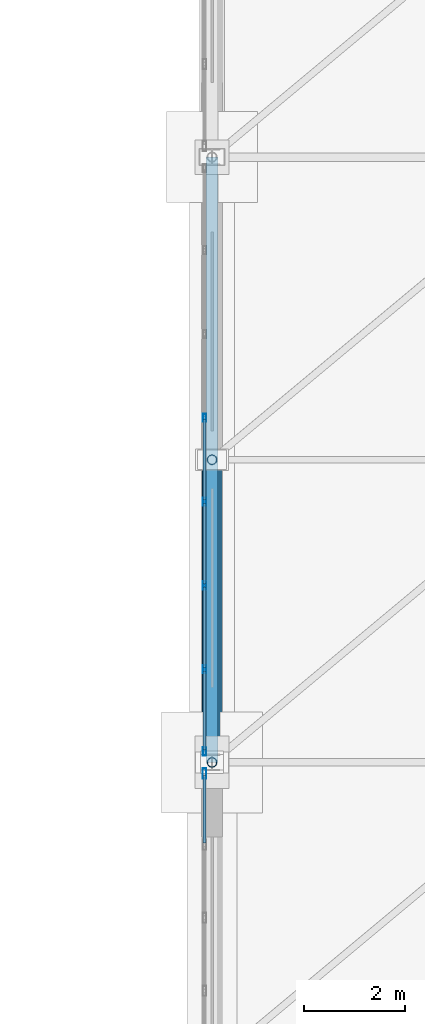
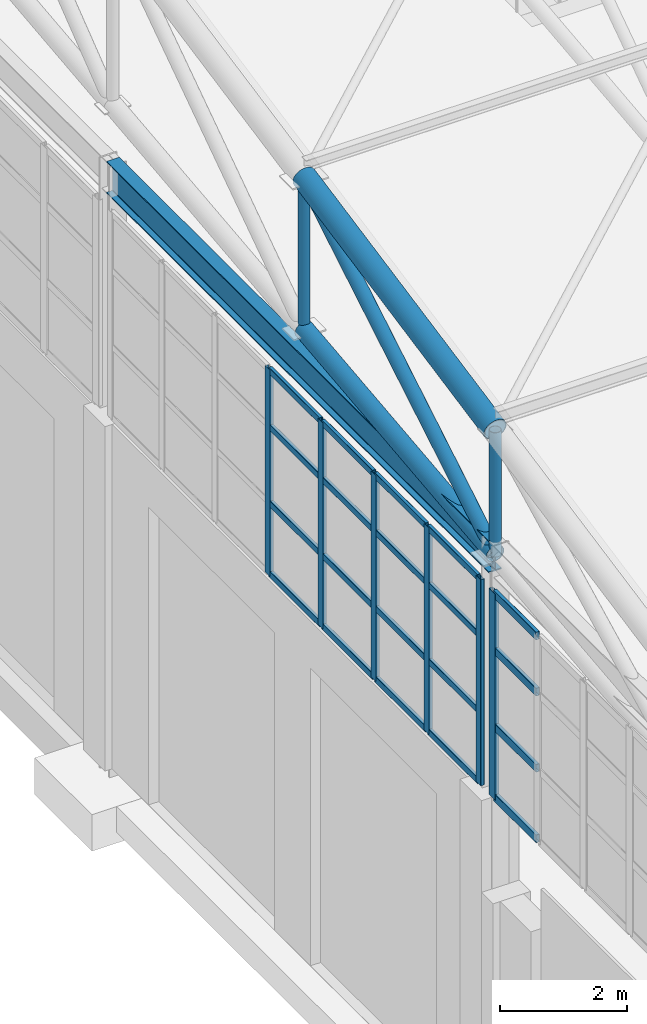
# One storey, part 115 of 293: 31 members, 1 beam, 2 elements without a shape of their own.
"""IFC4 building model written with IfcOpenShell, lengths in metres."""

import ifcopenshell
import ifcopenshell.guid

model = None  # the IFC model being written
_history = None  # IfcOwnerHistory: only IFC2X3 demands one
_inside = {}  # id of a spatial element -> (the spatial element, [elements in it])
_under = {}  # id of a project, library or spatial element -> (it, [spatial elements below it])
_declared = {}  # id of a project -> (the project, [libraries it declares])
_typed = {}  # id of a type object -> (the type object, [elements of that type])
_made_of = {}  # id of a material, layer set ... -> (it, [elements and type objects made of it])


def new_model(schema):
    """Start an empty IFC model of exactly this schema.

    Asked for "IFC4X3", IfcOpenShell would pick the latest addendum, in which some entities
    have other attributes; the version numbers below select the first issue.
    IFC2X3 requires an IfcOwnerHistory on every rooted entity: one is made here for all.
    """
    global model, _history
    if schema == "IFC4X3":
        model = ifcopenshell.file(schema_version=(4, 3, 0, 0))
    else:
        model = ifcopenshell.file(schema=schema)
    _inside.clear()
    _under.clear()
    _declared.clear()
    _typed.clear()
    _made_of.clear()
    _history = None
    if model.schema == "IFC2X3":
        org = make("IfcOrganization", Name="unknown")
        user = make(
            "IfcPersonAndOrganization",
            ThePerson=make("IfcPerson", FamilyName="unknown"),
            TheOrganization=org,
        )
        app = make(
            "IfcApplication",
            ApplicationDeveloper=org,
            Version="unknown",
            ApplicationFullName="unknown",
            ApplicationIdentifier="unknown",
        )
        _history = make(
            "IfcOwnerHistory",
            OwningUser=user,
            OwningApplication=app,
            ChangeAction="ADDED",
            CreationDate=0,
        )
    return model


def make(cls, **values):
    """One entity of the class cls with the attributes given. An attribute that is None is left unset."""
    return model.create_entity(
        cls, **{name: value for name, value in values.items() if value is not None}
    )


def rooted(cls, **values):
    """An entity with a GlobalId (a new one), such as an element, a storey or a relation."""
    return make(cls, GlobalId=ifcopenshell.guid.new(), OwnerHistory=_history, **values)


def si_unit(unit_type, name, prefix=None):
    """IfcSIUnit, for example si_unit("LENGTHUNIT", "METRE", prefix="MILLI")."""
    return make("IfcSIUnit", UnitType=unit_type, Prefix=prefix, Name=name)


def assignment(units):
    """IfcUnitAssignment: the units of a project."""
    return None if units is None else make("IfcUnitAssignment", Units=units)


def point(xyz):
    """IfcCartesianPoint."""
    return None if xyz is None else make("IfcCartesianPoint", Coordinates=xyz)


def direction(xyz):
    """IfcDirection."""
    return None if xyz is None else make("IfcDirection", DirectionRatios=xyz)


def frame(location, z_axis=None, x_axis=None):
    """IfcAxis2Placement3D, a coordinate frame: its origin and axes. An axis left out is left unset."""
    return make(
        "IfcAxis2Placement3D",
        Location=point(location),
        Axis=direction(z_axis),
        RefDirection=direction(x_axis),
    )


def frame_2d(location, x_axis=None):
    """IfcAxis2Placement2D, a coordinate frame in the plane: its origin and x axis."""
    return make(
        "IfcAxis2Placement2D", Location=point(location), RefDirection=direction(x_axis)
    )


def origin():
    """The frame at (0, 0, 0) with its axes left unset."""
    return frame((0.0, 0.0, 0.0))


def origin_2d():
    """The frame at (0, 0) in the plane with its x axis left unset."""
    return frame_2d((0.0, 0.0))


def place(relative_to, where):
    """IfcLocalPlacement: puts the frame where relative to a parent placement (None: the world)."""
    return make(
        "IfcLocalPlacement", PlacementRelTo=relative_to, RelativePlacement=where
    )


def context(
    kind, dimensions, precision=None, world=None, true_north=None, identifier=None
):
    """IfcGeometricRepresentationContext, for example the 3D "Model" context."""
    return make(
        "IfcGeometricRepresentationContext",
        ContextIdentifier=identifier,
        ContextType=kind,
        CoordinateSpaceDimension=dimensions,
        Precision=precision,
        WorldCoordinateSystem=world,
        TrueNorth=true_north,
    )


def subcontext(parent, identifier, kind, view, scale=None):
    """IfcGeometricRepresentationSubContext, for example "Body" below "Model"."""
    return make(
        "IfcGeometricRepresentationSubContext",
        ContextIdentifier=identifier,
        ContextType=kind,
        ParentContext=parent,
        TargetScale=scale,
        TargetView=view,
    )


def project(units=None, contexts=None):
    """IfcProject with its units and contexts."""
    return rooted(
        "IfcProject",
        Name="project",
        RepresentationContexts=contexts,
        UnitsInContext=assignment(units),
    )


def spatial(cls, under=None, at=None, **own):
    """A site, building, storey or space (cls), placed at a placement, below another one or the project."""
    s = rooted(cls, ObjectPlacement=at, **own)
    if under is not None:
        _under.setdefault(under.id(), (under, []))[1].append(s)
    return s


def profile(cls, at=None, kind="AREA", **sizes):
    """A parametric profile (cls). Its sizes go by their IFC names, for example OverallWidth=200.0."""
    return make(cls, ProfileType=kind, Position=at, **sizes)


def hollow_rectangle(**sizes):
    """IfcRectangleHollowProfileDef."""
    return profile("IfcRectangleHollowProfileDef", **sizes)


def hollow_circle(**sizes):
    """IfcCircleHollowProfileDef."""
    return profile("IfcCircleHollowProfileDef", **sizes)


def i_section(**sizes):
    """IfcIShapeProfileDef."""
    return profile("IfcIShapeProfileDef", **sizes)


def extrude(swept, where, along, depth):
    """IfcExtrudedAreaSolid: the profile swept, set in the frame where, extruded along a direction by depth."""
    return make(
        "IfcExtrudedAreaSolid",
        SweptArea=swept,
        Position=where,
        ExtrudedDirection=direction(along),
        Depth=depth,
    )


def shape(context_of_items, identifier, shape_type, items):
    """IfcShapeRepresentation: the items that make up one representation, for example the "Body"."""
    return make(
        "IfcShapeRepresentation",
        ContextOfItems=context_of_items,
        RepresentationIdentifier=identifier,
        RepresentationType=shape_type,
        Items=items,
    )


def material(Name=None, Category=None):
    """IfcMaterial."""
    return make("IfcMaterial", Name=Name, Category=Category)


def layer(
    of_material, thickness, ventilated=None, Name=None, Category=None, Priority=None
):
    """IfcMaterialLayer: one layer of a wall or slab, of a material (None: an air gap)."""
    return make(
        "IfcMaterialLayer",
        Material=of_material,
        LayerThickness=thickness,
        IsVentilated=ventilated,
        Name=Name,
        Category=Category,
        Priority=Priority,
    )


def layer_set(layers, Name=None):
    """IfcMaterialLayerSet."""
    return make("IfcMaterialLayerSet", MaterialLayers=layers, LayerSetName=Name)


def material_profile(
    of_material, cross_section, Name=None, Category=None, Priority=None
):
    """IfcMaterialProfile: a cross section and its material."""
    return make(
        "IfcMaterialProfile",
        Name=Name,
        Material=of_material,
        Profile=cross_section,
        Priority=Priority,
        Category=Category,
    )


def profile_set(profiles, Name=None, composite=None):
    """IfcMaterialProfileSet."""
    return make(
        "IfcMaterialProfileSet",
        Name=Name,
        MaterialProfiles=profiles,
        CompositeProfile=composite,
    )


def made_of(thing, what):
    """Note that an element or type object is made of a material, layer set ...; save() writes the relation."""
    if what is not None:
        _made_of.setdefault(what.id(), (what, []))[1].append(thing)
    return thing


def type_object(cls, material=None, **own):
    """A type object (cls), such as IfcWallType, which elements share."""
    return made_of(rooted(cls, **own), material)


def element(
    cls,
    number,
    at=None,
    inside=None,
    cuts=None,
    type_object=None,
    material=None,
    context=None,
    identifier="Body",
    shape_type=None,
    held_by="IfcProductDefinitionShape",
    body=None,
    shapes=None,
    **own,
):
    """One element of the class cls, such as IfcWall. Its Tag is "e" and its number.

    at: its placement. inside: the storey or other place that contains it. cuts: it is an
    opening in that element (IfcRelVoidsElement). A single representation is given by context,
    identifier, shape_type and body (its items); several are given by shapes. held_by: the class
    of the entity that holds the representations. save() writes the other relations.
    """
    e = rooted(cls, Tag="e%d" % number, ObjectPlacement=at, **own)
    if body is not None:
        shapes = [shape(context, identifier, shape_type, body)]
    if shapes is not None:
        e.Representation = make(held_by, Representations=shapes)
    if inside is not None:
        _inside.setdefault(inside.id(), (inside, []))[1].append(e)
    if cuts is not None:
        rooted(
            "IfcRelVoidsElement", RelatingBuildingElement=cuts, RelatedOpeningElement=e
        )
    if type_object is not None:
        _typed.setdefault(type_object.id(), (type_object, []))[1].append(e)
    return made_of(e, material)


def aggregate(whole, parts):
    """IfcRelAggregates: a whole, such as a stair, and the parts it consists of."""
    return rooted("IfcRelAggregates", RelatingObject=whole, RelatedObjects=parts)


def save(model, path):
    """Write the relations noted so far, then the file.

    IfcRelAggregates (storeys below a building ...), IfcRelContainedInSpatialStructure (elements
    in a storey), IfcRelDefinesByType, IfcRelAssociatesMaterial and IfcRelDeclares: one each for
    every whole, place, type object, material and project.
    """
    for whole, parts in _under.values():
        aggregate(whole, parts)
    for where, things in _inside.values():
        rooted(
            "IfcRelContainedInSpatialStructure",
            RelatedElements=things,
            RelatingStructure=where,
        )
    for kind, things in _typed.values():
        rooted("IfcRelDefinesByType", RelatedObjects=things, RelatingType=kind)
    for what, things in _made_of.values():
        rooted("IfcRelAssociatesMaterial", RelatedObjects=things, RelatingMaterial=what)
    for by, libraries in _declared.values():
        rooted("IfcRelDeclares", RelatingContext=by, RelatedDefinitions=libraries)
    model.write(path)


model = new_model("IFC4")

# Units and contexts
model_context = context("Model", 3, precision=1e-05, world=origin(), true_north=direction((0.0, 1.0)))
body_context = subcontext(model_context, "Body", "Model", "MODEL_VIEW")
ifc_project = project(units=[si_unit("LENGTHUNIT", "METRE"), si_unit("AREAUNIT", "SQUARE_METRE"), si_unit("VOLUMEUNIT", "CUBIC_METRE"), si_unit("PLANEANGLEUNIT", "RADIAN"), si_unit("MASSUNIT", "GRAM", prefix="KILO")], contexts=[model_context])

# Site, building, storey
site_placement = place(None, origin())
site = spatial("IfcSite", under=ifc_project, at=site_placement, CompositionType="ELEMENT")
building_placement = place(site_placement, origin())
building = spatial("IfcBuilding", under=site, at=building_placement, Name="Kemerveld Promenade Tramway Depot", CompositionType="ELEMENT")
storey_placement = place(building_placement, origin())
storey = spatial("IfcBuildingStorey", under=building, at=storey_placement, Name="L00", CompositionType="ELEMENT", Elevation=0.0)

# Beam
ifc_material_1 = material(Name="Steel S355", Category="steel")
ifc_material_profile_1 = material_profile(ifc_material_1, i_section(OverallWidth=0.22900390625, OverallDepth=0.6123046875, WebThickness=0.011962890625, FlangeThickness=0.01953125, FilletRadius=0.0126953125, at=origin_2d()), Name="610x229x125 UB")
ifc_profile_set_1 = profile_set([ifc_material_profile_1], Name="Steel S355")
beam_type = type_object("IfcBeamType", Name="BM-G04", PredefinedType="BEAM", material=ifc_profile_set_1)
beam_placement = place(storey_placement, frame((36.0, 96.0, 11.093994140625), z_axis=(0.0, 1.0, 0.0), x_axis=(-1.0, 0.0, 0.0)))
element("IfcBeam", 1, at=beam_placement, inside=storey, type_object=beam_type, Name="BM-GABLE-06-P", PredefinedType="BEAM", context=body_context, shape_type="SweptSolid", body=[
    extrude(i_section(OverallWidth=0.22900390625, OverallDepth=0.6123046875, WebThickness=0.011962890625, FlangeThickness=0.01953125, FilletRadius=0.0126953125, at=origin_2d()), origin(), (0.0, 0.0, 1.0), 12.0),
])

# Curtain wall, members
ifc_material_2 = material(Name="Bronze anodised aluminium and solar glass", Category="aluminium")
ifc_layer_1 = layer(ifc_material_2, 0.159912109375)
ifc_layer_set_1 = layer_set([ifc_layer_1], Name="CW-SYS-09")
curtain_wall_type_1 = type_object("IfcCurtainWallType", Name="CW-SYS-09", PredefinedType="USERDEFINED", material=ifc_layer_set_1)
curtain_wall_1_placement = place(storey_placement, origin())
curtain_wall_1 = element("IfcCurtainWall", 2, at=curtain_wall_1_placement, inside=storey, type_object=curtain_wall_type_1, Name="CW-V1-W-02", ObjectType="GLAZED_CURTAIN_WALL", PredefinedType="USERDEFINED")
ifc_material_3 = material(Name="Bronze anodised aluminium", Category="aluminium")
ifc_material_profile_2 = material_profile(ifc_material_3, hollow_rectangle(XDim=0.06494140625, YDim=0.159912109375, WallThickness=0.00390625, InnerFilletRadius=0.001953125, OuterFilletRadius=0.00390625, at=origin_2d()), Name="CW-MUL-160x65")
ifc_profile_set_2 = profile_set([ifc_material_profile_2], Name="Bronze anodised aluminium")
member_type_1 = type_object("IfcMemberType", Name="CW-MUL-A", PredefinedType="MULLION", material=ifc_profile_set_2)
member_1_placement = place(storey_placement, frame((35.85009765625, 96.216064453125, 6.64990234375), z_axis=(0.0, 0.0, 1.0), x_axis=(-1.0, 0.0, 0.0)))
member_1 = element("IfcMember", 3, at=member_1_placement, type_object=member_type_1, Name="CW09 mullion 1", PredefinedType="MULLION", context=body_context, shape_type="SweptSolid", body=[
    extrude(hollow_rectangle(XDim=0.06494140625, YDim=0.159912109375, WallThickness=0.00390625, InnerFilletRadius=0.001953125, OuterFilletRadius=0.00390625, at=origin_2d()), origin(), (0.0, 0.0, 1.0), 3.9501953125),
])
member_2_placement = place(storey_placement, frame((35.85009765625, 97.845458984375, 6.64990234375), z_axis=(0.0, 0.0, 1.0), x_axis=(-1.0, 0.0, 0.0)))
member_2 = element("IfcMember", 4, at=member_2_placement, type_object=member_type_1, Name="CW09 mullion 2", PredefinedType="MULLION", context=body_context, shape_type="SweptSolid", body=[
    extrude(hollow_rectangle(XDim=0.06494140625, YDim=0.159912109375, WallThickness=0.00390625, InnerFilletRadius=0.001953125, OuterFilletRadius=0.00390625, at=origin_2d()), origin(), (0.0, 0.0, 1.0), 3.9501953125),
])
member_3_placement = place(storey_placement, frame((35.85009765625, 99.50732421875, 6.64990234375), z_axis=(0.0, 0.0, 1.0), x_axis=(-1.0, 0.0, 0.0)))
member_3 = element("IfcMember", 5, at=member_3_placement, type_object=member_type_1, Name="CW09 mullion 3", PredefinedType="MULLION", context=body_context, shape_type="SweptSolid", body=[
    extrude(hollow_rectangle(XDim=0.06494140625, YDim=0.159912109375, WallThickness=0.00390625, InnerFilletRadius=0.001953125, OuterFilletRadius=0.00390625, at=origin_2d()), origin(), (0.0, 0.0, 1.0), 3.9501953125),
])
member_4_placement = place(storey_placement, frame((35.85009765625, 101.169189453125, 6.64990234375), z_axis=(0.0, 0.0, 1.0), x_axis=(-1.0, 0.0, 0.0)))
member_4 = element("IfcMember", 6, at=member_4_placement, type_object=member_type_1, Name="CW09 mullion 4", PredefinedType="MULLION", context=body_context, shape_type="SweptSolid", body=[
    extrude(hollow_rectangle(XDim=0.06494140625, YDim=0.159912109375, WallThickness=0.00390625, InnerFilletRadius=0.001953125, OuterFilletRadius=0.00390625, at=origin_2d()), origin(), (0.0, 0.0, 1.0), 3.9501953125),
])
member_5_placement = place(storey_placement, frame((35.85009765625, 102.830810546875, 6.64990234375), z_axis=(0.0, 0.0, 1.0), x_axis=(-1.0, 0.0, 0.0)))
member_5 = element("IfcMember", 7, at=member_5_placement, type_object=member_type_1, Name="CW09 mullion 5", PredefinedType="MULLION", context=body_context, shape_type="SweptSolid", body=[
    extrude(hollow_rectangle(XDim=0.06494140625, YDim=0.159912109375, WallThickness=0.00390625, InnerFilletRadius=0.001953125, OuterFilletRadius=0.00390625, at=origin_2d()), origin(), (0.0, 0.0, 1.0), 3.9501953125),
])

# Curtain wall, member
ifc_layer_2 = layer(ifc_material_2, 0.199951171875)
ifc_layer_set_2 = layer_set([ifc_layer_2], Name="CW-SYS-08")
curtain_wall_type_2 = type_object("IfcCurtainWallType", Name="CW-SYS-08", PredefinedType="USERDEFINED", material=ifc_layer_set_2)
curtain_wall_2_placement = place(storey_placement, origin())
curtain_wall_2 = element("IfcCurtainWall", 8, at=curtain_wall_2_placement, inside=storey, type_object=curtain_wall_type_2, Name="CW-V1-W-01", ObjectType="GLAZED_CURTAIN_WALL", PredefinedType="USERDEFINED")
ifc_material_profile_3 = material_profile(ifc_material_3, hollow_rectangle(XDim=0.074951171875, YDim=0.199951171875, WallThickness=0.0048828125, InnerFilletRadius=0.001953125, OuterFilletRadius=0.0048828125, at=origin_2d()), Name="CW-MUL-200x75")
ifc_profile_set_3 = profile_set([ifc_material_profile_3], Name="Bronze anodised aluminium")
member_type_2 = type_object("IfcMemberType", Name="CW-MUL-B", PredefinedType="MULLION", material=ifc_profile_set_3)
member_6_placement = place(storey_placement, frame((35.85009765625, 95.779052734375, 6.64990234375), z_axis=(0.0, 0.0, 1.0), x_axis=(-1.0, 0.0, 0.0)))
member_6 = element("IfcMember", 9, at=member_6_placement, type_object=member_type_2, Name="CW08 mullion 9", PredefinedType="MULLION", context=body_context, shape_type="SweptSolid", body=[
    extrude(hollow_rectangle(XDim=0.074951171875, YDim=0.199951171875, WallThickness=0.0048828125, InnerFilletRadius=0.001953125, OuterFilletRadius=0.0048828125, at=origin_2d()), origin(), (0.0, 0.0, 1.0), 3.9501953125),
])

# Member
ifc_material_profile_4 = material_profile(ifc_material_3, hollow_rectangle(XDim=0.06005859375, YDim=0.1201171875, WallThickness=0.00390625, InnerFilletRadius=0.001953125, OuterFilletRadius=0.00390625, at=origin_2d()), Name="CW-TRN-120x60")
ifc_profile_set_4 = profile_set([ifc_material_profile_4], Name="Bronze anodised aluminium")
member_type_3 = type_object("IfcMemberType", Name="CW-TRN-A", PredefinedType="USERDEFINED", material=ifc_profile_set_4)
member_7_placement = place(storey_placement, frame((35.85009765625, 96.24853515625, 6.679931640625), z_axis=(0.0, 1.0, 0.0), x_axis=(-1.0, 0.0, 0.0)))
member_7 = element("IfcMember", 10, at=member_7_placement, type_object=member_type_3, Name="CW09 transom 1.1", ObjectType="TRANSOM", PredefinedType="USERDEFINED", context=body_context, shape_type="SweptSolid", body=[
    extrude(hollow_rectangle(XDim=0.06005859375, YDim=0.1201171875, WallThickness=0.00390625, InnerFilletRadius=0.001953125, OuterFilletRadius=0.00390625, at=origin_2d()), origin(), (0.0, 0.0, 1.0), 1.564208984375),
])

member_8_placement = place(storey_placement, frame((35.85009765625, 96.24853515625, 8.032958984375), z_axis=(0.0, 1.0, 0.0), x_axis=(-1.0, 0.0, 0.0)))
member_8 = element("IfcMember", 11, at=member_8_placement, type_object=member_type_3, Name="CW09 transom 1.2", ObjectType="TRANSOM", PredefinedType="USERDEFINED", context=body_context, shape_type="SweptSolid", body=[
    extrude(hollow_rectangle(XDim=0.06005859375, YDim=0.1201171875, WallThickness=0.00390625, InnerFilletRadius=0.001953125, OuterFilletRadius=0.00390625, at=origin_2d()), origin(), (0.0, 0.0, 1.0), 1.564208984375),
])

member_9_placement = place(storey_placement, frame((35.85009765625, 96.24853515625, 9.493896484375), z_axis=(0.0, 1.0, 0.0), x_axis=(-1.0, 0.0, 0.0)))
member_9 = element("IfcMember", 12, at=member_9_placement, type_object=member_type_3, Name="CW09 transom 1.3", ObjectType="TRANSOM", PredefinedType="USERDEFINED", context=body_context, shape_type="SweptSolid", body=[
    extrude(hollow_rectangle(XDim=0.06005859375, YDim=0.1201171875, WallThickness=0.00390625, InnerFilletRadius=0.001953125, OuterFilletRadius=0.00390625, at=origin_2d()), origin(), (0.0, 0.0, 1.0), 1.564208984375),
])

member_10_placement = place(storey_placement, frame((35.85009765625, 96.24853515625, 10.570068359375), z_axis=(0.0, 1.0, 0.0), x_axis=(-1.0, 0.0, 0.0)))
member_10 = element("IfcMember", 13, at=member_10_placement, type_object=member_type_3, Name="CW09 transom 1.4", ObjectType="TRANSOM", PredefinedType="USERDEFINED", context=body_context, shape_type="SweptSolid", body=[
    extrude(hollow_rectangle(XDim=0.06005859375, YDim=0.1201171875, WallThickness=0.00390625, InnerFilletRadius=0.001953125, OuterFilletRadius=0.00390625, at=origin_2d()), origin(), (0.0, 0.0, 1.0), 1.564208984375),
])

member_11_placement = place(storey_placement, frame((35.85009765625, 97.8779296875, 6.679931640625), z_axis=(0.0, 1.0, 0.0), x_axis=(-1.0, 0.0, 0.0)))
member_11 = element("IfcMember", 14, at=member_11_placement, type_object=member_type_3, Name="CW09 transom 2.1", ObjectType="TRANSOM", PredefinedType="USERDEFINED", context=body_context, shape_type="SweptSolid", body=[
    extrude(hollow_rectangle(XDim=0.06005859375, YDim=0.1201171875, WallThickness=0.00390625, InnerFilletRadius=0.001953125, OuterFilletRadius=0.00390625, at=origin_2d()), origin(), (0.0, 0.0, 1.0), 1.5966796875),
])

member_12_placement = place(storey_placement, frame((35.85009765625, 97.8779296875, 8.032958984375), z_axis=(0.0, 1.0, 0.0), x_axis=(-1.0, 0.0, 0.0)))
member_12 = element("IfcMember", 15, at=member_12_placement, type_object=member_type_3, Name="CW09 transom 2.2", ObjectType="TRANSOM", PredefinedType="USERDEFINED", context=body_context, shape_type="SweptSolid", body=[
    extrude(hollow_rectangle(XDim=0.06005859375, YDim=0.1201171875, WallThickness=0.00390625, InnerFilletRadius=0.001953125, OuterFilletRadius=0.00390625, at=origin_2d()), origin(), (0.0, 0.0, 1.0), 1.5966796875),
])

member_13_placement = place(storey_placement, frame((35.85009765625, 97.8779296875, 9.493896484375), z_axis=(0.0, 1.0, 0.0), x_axis=(-1.0, 0.0, 0.0)))
member_13 = element("IfcMember", 16, at=member_13_placement, type_object=member_type_3, Name="CW09 transom 2.3", ObjectType="TRANSOM", PredefinedType="USERDEFINED", context=body_context, shape_type="SweptSolid", body=[
    extrude(hollow_rectangle(XDim=0.06005859375, YDim=0.1201171875, WallThickness=0.00390625, InnerFilletRadius=0.001953125, OuterFilletRadius=0.00390625, at=origin_2d()), origin(), (0.0, 0.0, 1.0), 1.5966796875),
])

member_14_placement = place(storey_placement, frame((35.85009765625, 97.8779296875, 10.570068359375), z_axis=(0.0, 1.0, 0.0), x_axis=(-1.0, 0.0, 0.0)))
member_14 = element("IfcMember", 17, at=member_14_placement, type_object=member_type_3, Name="CW09 transom 2.4", ObjectType="TRANSOM", PredefinedType="USERDEFINED", context=body_context, shape_type="SweptSolid", body=[
    extrude(hollow_rectangle(XDim=0.06005859375, YDim=0.1201171875, WallThickness=0.00390625, InnerFilletRadius=0.001953125, OuterFilletRadius=0.00390625, at=origin_2d()), origin(), (0.0, 0.0, 1.0), 1.5966796875),
])

member_15_placement = place(storey_placement, frame((35.85009765625, 99.539794921875, 6.679931640625), z_axis=(0.0, 1.0, 0.0), x_axis=(-1.0, 0.0, 0.0)))
member_15 = element("IfcMember", 18, at=member_15_placement, type_object=member_type_3, Name="CW09 transom 3.1", ObjectType="TRANSOM", PredefinedType="USERDEFINED", context=body_context, shape_type="SweptSolid", body=[
    extrude(hollow_rectangle(XDim=0.06005859375, YDim=0.1201171875, WallThickness=0.00390625, InnerFilletRadius=0.001953125, OuterFilletRadius=0.00390625, at=origin_2d()), origin(), (0.0, 0.0, 1.0), 1.5966796875),
])

member_16_placement = place(storey_placement, frame((35.85009765625, 99.539794921875, 8.032958984375), z_axis=(0.0, 1.0, 0.0), x_axis=(-1.0, 0.0, 0.0)))
member_16 = element("IfcMember", 19, at=member_16_placement, type_object=member_type_3, Name="CW09 transom 3.2", ObjectType="TRANSOM", PredefinedType="USERDEFINED", context=body_context, shape_type="SweptSolid", body=[
    extrude(hollow_rectangle(XDim=0.06005859375, YDim=0.1201171875, WallThickness=0.00390625, InnerFilletRadius=0.001953125, OuterFilletRadius=0.00390625, at=origin_2d()), origin(), (0.0, 0.0, 1.0), 1.5966796875),
])

member_17_placement = place(storey_placement, frame((35.85009765625, 99.539794921875, 9.493896484375), z_axis=(0.0, 1.0, 0.0), x_axis=(-1.0, 0.0, 0.0)))
member_17 = element("IfcMember", 20, at=member_17_placement, type_object=member_type_3, Name="CW09 transom 3.3", ObjectType="TRANSOM", PredefinedType="USERDEFINED", context=body_context, shape_type="SweptSolid", body=[
    extrude(hollow_rectangle(XDim=0.06005859375, YDim=0.1201171875, WallThickness=0.00390625, InnerFilletRadius=0.001953125, OuterFilletRadius=0.00390625, at=origin_2d()), origin(), (0.0, 0.0, 1.0), 1.5966796875),
])

member_18_placement = place(storey_placement, frame((35.85009765625, 99.539794921875, 10.570068359375), z_axis=(0.0, 1.0, 0.0), x_axis=(-1.0, 0.0, 0.0)))
member_18 = element("IfcMember", 21, at=member_18_placement, type_object=member_type_3, Name="CW09 transom 3.4", ObjectType="TRANSOM", PredefinedType="USERDEFINED", context=body_context, shape_type="SweptSolid", body=[
    extrude(hollow_rectangle(XDim=0.06005859375, YDim=0.1201171875, WallThickness=0.00390625, InnerFilletRadius=0.001953125, OuterFilletRadius=0.00390625, at=origin_2d()), origin(), (0.0, 0.0, 1.0), 1.5966796875),
])

member_19_placement = place(storey_placement, frame((35.85009765625, 101.20166015625, 6.679931640625), z_axis=(0.0, 1.0, 0.0), x_axis=(-1.0, 0.0, 0.0)))
member_19 = element("IfcMember", 22, at=member_19_placement, type_object=member_type_3, Name="CW09 transom 4.1", ObjectType="TRANSOM", PredefinedType="USERDEFINED", context=body_context, shape_type="SweptSolid", body=[
    extrude(hollow_rectangle(XDim=0.06005859375, YDim=0.1201171875, WallThickness=0.00390625, InnerFilletRadius=0.001953125, OuterFilletRadius=0.00390625, at=origin_2d()), origin(), (0.0, 0.0, 1.0), 1.5966796875),
])

member_20_placement = place(storey_placement, frame((35.85009765625, 101.20166015625, 8.032958984375), z_axis=(0.0, 1.0, 0.0), x_axis=(-1.0, 0.0, 0.0)))
member_20 = element("IfcMember", 23, at=member_20_placement, type_object=member_type_3, Name="CW09 transom 4.2", ObjectType="TRANSOM", PredefinedType="USERDEFINED", context=body_context, shape_type="SweptSolid", body=[
    extrude(hollow_rectangle(XDim=0.06005859375, YDim=0.1201171875, WallThickness=0.00390625, InnerFilletRadius=0.001953125, OuterFilletRadius=0.00390625, at=origin_2d()), origin(), (0.0, 0.0, 1.0), 1.5966796875),
])

member_21_placement = place(storey_placement, frame((35.85009765625, 101.20166015625, 9.493896484375), z_axis=(0.0, 1.0, 0.0), x_axis=(-1.0, 0.0, 0.0)))
member_21 = element("IfcMember", 24, at=member_21_placement, type_object=member_type_3, Name="CW09 transom 4.3", ObjectType="TRANSOM", PredefinedType="USERDEFINED", context=body_context, shape_type="SweptSolid", body=[
    extrude(hollow_rectangle(XDim=0.06005859375, YDim=0.1201171875, WallThickness=0.00390625, InnerFilletRadius=0.001953125, OuterFilletRadius=0.00390625, at=origin_2d()), origin(), (0.0, 0.0, 1.0), 1.5966796875),
])

member_22_placement = place(storey_placement, frame((35.85009765625, 101.20166015625, 10.570068359375), z_axis=(0.0, 1.0, 0.0), x_axis=(-1.0, 0.0, 0.0)))
member_22 = element("IfcMember", 25, at=member_22_placement, type_object=member_type_3, Name="CW09 transom 4.4", ObjectType="TRANSOM", PredefinedType="USERDEFINED", context=body_context, shape_type="SweptSolid", body=[
    extrude(hollow_rectangle(XDim=0.06005859375, YDim=0.1201171875, WallThickness=0.00390625, InnerFilletRadius=0.001953125, OuterFilletRadius=0.00390625, at=origin_2d()), origin(), (0.0, 0.0, 1.0), 1.5966796875),
])

aggregate(curtain_wall_1, [member_1, member_2, member_3, member_4, member_5, member_7, member_8, member_9, member_10, member_11, member_12, member_13, member_14, member_15, member_16, member_17, member_18, member_19, member_20, member_21, member_22])

ifc_material_profile_5 = material_profile(ifc_material_3, hollow_rectangle(XDim=0.06494140625, YDim=0.14990234375, WallThickness=0.00439453125, InnerFilletRadius=0.001953125, OuterFilletRadius=0.00439453125, at=origin_2d()), Name="CW-TRN-150x65")
ifc_profile_set_5 = profile_set([ifc_material_profile_5], Name="Bronze anodised aluminium")
member_type_4 = type_object("IfcMemberType", Name="CW-TRN-B", PredefinedType="USERDEFINED", material=ifc_profile_set_5)
member_23_placement = place(storey_placement, frame((35.85009765625, 94.40478515625, 6.6826171875), z_axis=(0.0, 1.0, 0.0), x_axis=(-1.0, 0.0, 0.0)))
member_23 = element("IfcMember", 26, at=member_23_placement, type_object=member_type_4, Name="CW08 transom 8.1", ObjectType="TRANSOM", PredefinedType="USERDEFINED", context=body_context, shape_type="SweptSolid", body=[
    extrude(hollow_rectangle(XDim=0.06494140625, YDim=0.14990234375, WallThickness=0.00439453125, InnerFilletRadius=0.001953125, OuterFilletRadius=0.00439453125, at=origin_2d()), origin(), (0.0, 0.0, 1.0), 1.336669921875),
])

member_24_placement = place(storey_placement, frame((35.85009765625, 94.40478515625, 8.032958984375), z_axis=(0.0, 1.0, 0.0), x_axis=(-1.0, 0.0, 0.0)))
member_24 = element("IfcMember", 27, at=member_24_placement, type_object=member_type_4, Name="CW08 transom 8.2", ObjectType="TRANSOM", PredefinedType="USERDEFINED", context=body_context, shape_type="SweptSolid", body=[
    extrude(hollow_rectangle(XDim=0.06494140625, YDim=0.14990234375, WallThickness=0.00439453125, InnerFilletRadius=0.001953125, OuterFilletRadius=0.00439453125, at=origin_2d()), origin(), (0.0, 0.0, 1.0), 1.336669921875),
])

member_25_placement = place(storey_placement, frame((35.85009765625, 94.40478515625, 9.493896484375), z_axis=(0.0, 1.0, 0.0), x_axis=(-1.0, 0.0, 0.0)))
member_25 = element("IfcMember", 28, at=member_25_placement, type_object=member_type_4, Name="CW08 transom 8.3", ObjectType="TRANSOM", PredefinedType="USERDEFINED", context=body_context, shape_type="SweptSolid", body=[
    extrude(hollow_rectangle(XDim=0.06494140625, YDim=0.14990234375, WallThickness=0.00439453125, InnerFilletRadius=0.001953125, OuterFilletRadius=0.00439453125, at=origin_2d()), origin(), (0.0, 0.0, 1.0), 1.336669921875),
])

member_26_placement = place(storey_placement, frame((35.85009765625, 94.40478515625, 10.5673828125), z_axis=(0.0, 1.0, 0.0), x_axis=(-1.0, 0.0, 0.0)))
member_26 = element("IfcMember", 29, at=member_26_placement, type_object=member_type_4, Name="CW08 transom 8.4", ObjectType="TRANSOM", PredefinedType="USERDEFINED", context=body_context, shape_type="SweptSolid", body=[
    extrude(hollow_rectangle(XDim=0.06494140625, YDim=0.14990234375, WallThickness=0.00439453125, InnerFilletRadius=0.001953125, OuterFilletRadius=0.00439453125, at=origin_2d()), origin(), (0.0, 0.0, 1.0), 1.336669921875),
])

aggregate(curtain_wall_2, [member_6, member_23, member_24, member_25, member_26])

# Members
ifc_material_profile_6 = material_profile(ifc_material_1, hollow_circle(Radius=0.122314453125, WallThickness=0.010009765625, at=origin_2d()), Name="244.5x10.0 CHS")
ifc_profile_set_6 = profile_set([ifc_material_profile_6], Name="Steel S355")
member_type_5 = type_object("IfcMemberType", Name="MB-TB1", PredefinedType="BRACE", material=ifc_profile_set_6)
member_27_placement = place(storey_placement, frame((36.0, 96.0, 11.1201171875), z_axis=(0.0, 0.8587636701, 0.512371895128), x_axis=(-1.0, 0.0, 0.0)))
element("IfcMember", 30, at=member_27_placement, inside=storey, type_object=member_type_5, Name="TR-06-DG-03", PredefinedType="BRACE", context=body_context, shape_type="SweptSolid", body=[
    extrude(hollow_circle(Radius=0.122314453125, WallThickness=0.010009765625, at=origin_2d()), origin(), (0.0, 0.0, 1.0), 6.98681640625),
])
ifc_material_profile_7 = material_profile(ifc_material_1, hollow_circle(Radius=0.203125, WallThickness=0.01611328125, at=origin_2d()), Name="406.4x16.0 CHS")
ifc_profile_set_7 = profile_set([ifc_material_profile_7], Name="Steel S355")
member_type_6 = type_object("IfcMemberType", Name="MB-TC1", PredefinedType="CHORD", material=ifc_profile_set_7)
member_28_placement = place(storey_placement, frame((36.0, 96.0, 13.5), z_axis=(0.0, 0.980582210276, 0.196108462057), x_axis=(-1.0, 0.0, 0.0)))
element("IfcMember", 31, at=member_28_placement, inside=storey, type_object=member_type_6, Name="TR-06-TC-03", PredefinedType="CHORD", context=body_context, shape_type="SweptSolid", body=[
    extrude(hollow_circle(Radius=0.203125, WallThickness=0.01611328125, at=origin_2d()), origin(), (0.0, 0.0, 1.0), 6.118896484375),
])
ifc_material_profile_8 = material_profile(ifc_material_1, hollow_circle(Radius=0.161865234375, WallThickness=0.012451171875, at=origin_2d()), Name="323.9x12.5 CHS")
ifc_profile_set_8 = profile_set([ifc_material_profile_8], Name="Steel S355")
member_type_7 = type_object("IfcMemberType", Name="MB-TC2", PredefinedType="CHORD", material=ifc_profile_set_8)
member_29_placement = place(storey_placement, frame((36.0, 96.0, 11.1201171875), z_axis=(0.0, 0.994005938353, 0.109326092585), x_axis=(-1.0, 0.0, 0.0)))
element("IfcMember", 32, at=member_29_placement, inside=storey, type_object=member_type_7, Name="TR-06-BC-03", PredefinedType="CHORD", context=body_context, shape_type="SweptSolid", body=[
    extrude(hollow_circle(Radius=0.161865234375, WallThickness=0.012451171875, at=origin_2d()), origin(), (0.0, 0.0, 1.0), 6.0361328125),
])
ifc_material_profile_9 = material_profile(ifc_material_1, hollow_circle(Radius=0.096923828125, WallThickness=0.008056640625, at=origin_2d()), Name="193.7x8.0 CHS")
ifc_profile_set_9 = profile_set([ifc_material_profile_9], Name="Steel S355")
member_type_8 = type_object("IfcMemberType", Name="MB-TP1", PredefinedType="POST", material=ifc_profile_set_9)
member_30_placement = place(storey_placement, frame((36.0, 96.0, 11.1201171875), z_axis=(0.0, 0.0, 1.0), x_axis=(1.0, 0.0, 0.0)))
element("IfcMember", 33, at=member_30_placement, inside=storey, type_object=member_type_8, Name="TR-06-VT-02", PredefinedType="POST", context=body_context, shape_type="SweptSolid", body=[
    extrude(hollow_circle(Radius=0.096923828125, WallThickness=0.008056640625, at=origin_2d()), origin(), (0.0, 0.0, 1.0), 2.3798828125),
])
member_31_placement = place(storey_placement, frame((36.0, 102.0, 11.780029296875), z_axis=(0.0, 0.0, 1.0), x_axis=(1.0, 0.0, 0.0)))
element("IfcMember", 34, at=member_31_placement, inside=storey, type_object=member_type_8, Name="TR-06-VT-03", PredefinedType="POST", context=body_context, shape_type="SweptSolid", body=[
    extrude(hollow_circle(Radius=0.096923828125, WallThickness=0.008056640625, at=origin_2d()), origin(), (0.0, 0.0, 1.0), 2.919921875),
])

save(model, "model.ifc")
